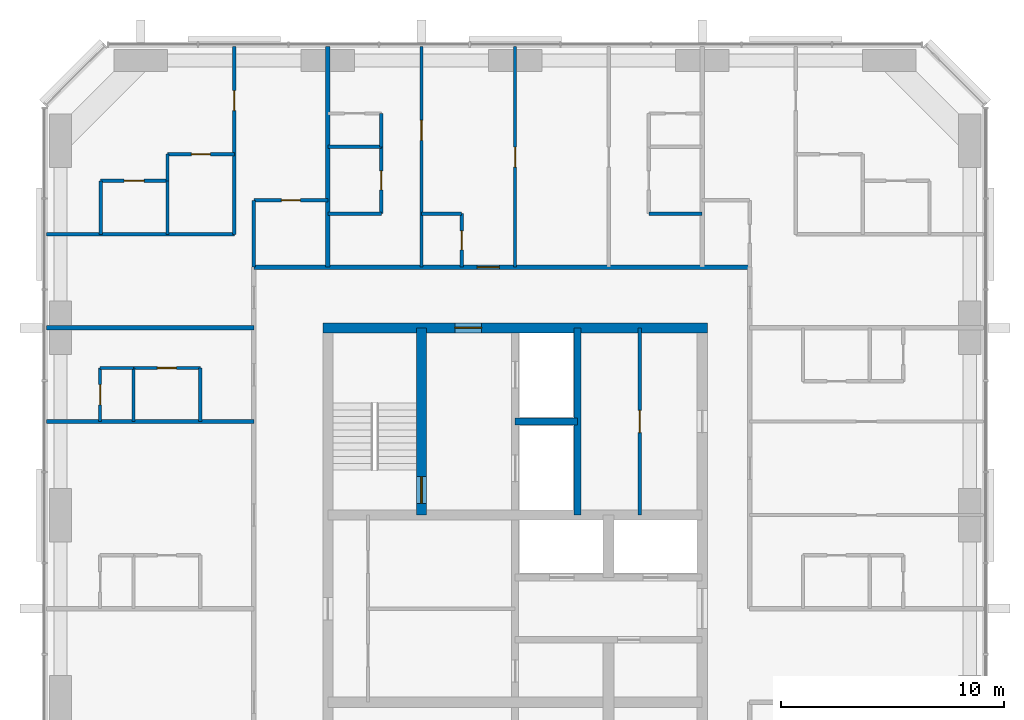
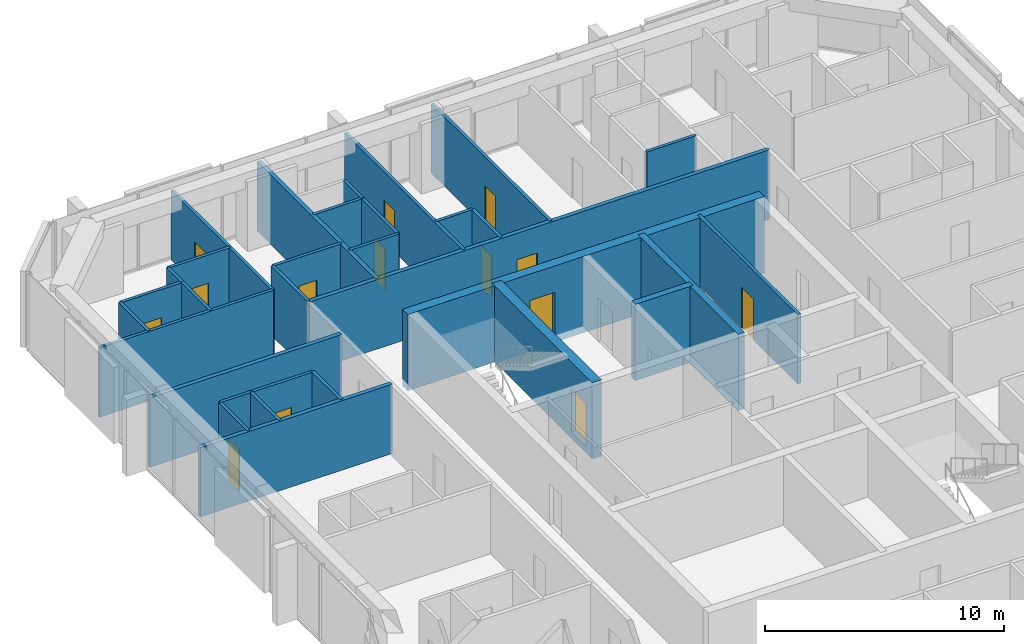
# One storey, part 10 of 13: 32 walls, 14 doors, 14 openings.
"""IFC4 building model written with IfcOpenShell, lengths in metres."""

from ifc_helpers import new_model, si_unit, direction, frame, frame_2d, origin, place, context, subcontext, project, spatial, rectangle, extrude, material, layer, layer_set, type_object, element, fill, save


model = new_model("IFC4")

# Units and contexts
model_context = context("Model", 3, precision=1e-05, world=origin(), true_north=direction((0.0, 1.0)))
body_context = subcontext(model_context, "Body", "Model", "MODEL_VIEW")
ifc_project = project(units=[si_unit("LENGTHUNIT", "METRE"), si_unit("AREAUNIT", "SQUARE_METRE"), si_unit("VOLUMEUNIT", "CUBIC_METRE"), si_unit("PLANEANGLEUNIT", "RADIAN"), si_unit("MASSUNIT", "GRAM", prefix="KILO")], contexts=[model_context])

# Site, building, storey
site_placement = place(None, origin())
site = spatial("IfcSite", under=ifc_project, at=site_placement, CompositionType="ELEMENT")
building_placement = place(site_placement, origin())
building = spatial("IfcBuilding", under=site, at=building_placement, Name="Dunama Terrace Hotel", CompositionType="ELEMENT")
storey_placement = place(building_placement, frame((0.0, 0.0, 276.300048828125)))
storey = spatial("IfcBuildingStorey", under=building, at=storey_placement, Name="L71", CompositionType="ELEMENT", Elevation=276.300048828125)

# Walls
ifc_material_1 = material(Name="Gypsum board partition", Category="masonry")
ifc_layer_1 = layer(ifc_material_1, 0.14990234375)
ifc_layer_set_1 = layer_set([ifc_layer_1], Name="Bathroom partition 150")
wall_type_1 = type_object("IfcWallType", Name="Bathroom partition 150", PredefinedType="PARTITIONING", material=ifc_layer_set_1)
wall_1_placement = place(storey_placement, frame((18.0, 48.60009765625, 0.0), z_axis=(0.0, 0.0, 1.0), x_axis=(0.0, 1.0, 0.0)))
element("IfcWall", 1, at=wall_1_placement, inside=storey, type_object=wall_type_1, Name="Bathroom partition 150 L71", PredefinedType="PARTITIONING", context=body_context, shape_type="SweptSolid", body=[
    extrude(rectangle(XDim=1.199951171875, YDim=0.14990234375, at=frame_2d((0.60009765625, 0.0))), origin(), (0.0, 0.0, 1.0), 3.550048828125),
])
wall_2_placement = place(storey_placement, frame((19.47509765625, 37.800048828125, 0.0), z_axis=(0.0, 0.0, 1.0), x_axis=(0.0, 1.0, 0.0)))
element("IfcWall", 2, at=wall_2_placement, inside=storey, type_object=wall_type_1, Name="Bathroom partition 150 L71", PredefinedType="PARTITIONING", context=body_context, shape_type="SweptSolid", body=[
    extrude(rectangle(XDim=2.39990234375, YDim=0.14990234375, at=frame_2d((1.199951171875, 0.0))), origin(), (0.0, 0.0, 1.0), 3.550048828125),
])
wall_3_placement = place(storey_placement, frame((21.875, 44.72509765625, 0.0), z_axis=(0.0, 0.0, 1.0), x_axis=(0.0, 1.0, 0.0)))
element("IfcWall", 3, at=wall_3_placement, inside=storey, type_object=wall_type_1, Name="Bathroom partition 150 L71", PredefinedType="PARTITIONING", context=body_context, shape_type="SweptSolid", body=[
    extrude(rectangle(XDim=3.0, YDim=0.14990234375, at=frame_2d((1.5, 0.0))), origin(), (0.0, 0.0, 1.0), 3.550048828125),
])

# Wall, opening, door
wall_4_placement = place(storey_placement, frame((27.60009765625, 47.125, 0.0), z_axis=(0.0, 0.0, 1.0), x_axis=(0.0, 1.0, 0.0)))
wall_4 = element("IfcWall", 4, at=wall_4_placement, inside=storey, type_object=wall_type_1, Name="Bathroom partition 150 L71", PredefinedType="PARTITIONING", context=body_context, shape_type="SweptSolid", body=[
    extrude(rectangle(XDim=3.0, YDim=0.14990234375, at=frame_2d((1.5, 0.0))), origin(), (0.0, 0.0, 1.0), 3.550048828125),
])
opening_1_placement = place(wall_4_placement, frame((1.074951171875, 0.0, 0.0)))
opening_1 = element("IfcOpeningElement", 5, at=opening_1_placement, cuts=wall_4, Name="Opening L71-72-029", PredefinedType="OPENING", context=body_context, shape_type="SweptSolid", body=[
    extrude(rectangle(XDim=0.85009765625, YDim=2.10009765625, at=frame_2d((0.425048828125, 1.050048828125))), frame((0.0, 0.0849609375, 0.0), z_axis=(0.0, -1.0, 0.0), x_axis=(1.0, 0.0, 0.0)), (0.0, 0.0, 1.0), 0.169921875),
])
ifc_material_2 = material(Name="Timber door with steel frame", Category="steel")
door_type_1 = type_object("IfcDoorType", Name="Bathroom door 850", OperationType="SINGLE_SWING_LEFT", PredefinedType="DOOR", material=ifc_material_2)
door_1_placement = place(opening_1_placement, origin())
door_1 = element("IfcDoor", 6, at=door_1_placement, inside=storey, type_object=door_type_1, Name="Door to en-suite bathroom L71-72-029, type D2", OperationType="SINGLE_SWING_RIGHT", OverallHeight=2.10009765625, OverallWidth=0.85009765625, PredefinedType="DOOR", context=body_context, shape_type="SweptSolid", body=[
    extrude(rectangle(XDim=0.85009765625, YDim=2.10009765625, at=frame_2d((0.425048828125, 1.050048828125))), frame((0.0, 0.02490234375, 0.0), z_axis=(0.0, -1.0, 0.0), x_axis=(1.0, 0.0, 0.0)), (0.0, 0.0, 1.0), 0.050048828125),
])
fill(opening_1, door_1)

wall_5_placement = place(storey_placement, frame((31.199951171875, 44.72509765625, 0.0), z_axis=(0.0, 0.0, 1.0), x_axis=(0.0, 1.0, 0.0)))
wall_5 = element("IfcWall", 7, at=wall_5_placement, inside=storey, type_object=wall_type_1, Name="Bathroom partition 150 L71", PredefinedType="PARTITIONING", context=body_context, shape_type="SweptSolid", body=[
    extrude(rectangle(XDim=2.39990234375, YDim=0.14990234375, at=frame_2d((1.199951171875, 0.0))), origin(), (0.0, 0.0, 1.0), 3.550048828125),
])
opening_2_placement = place(wall_5_placement, frame((0.77490234375, 0.0, 0.0)))
opening_2 = element("IfcOpeningElement", 8, at=opening_2_placement, cuts=wall_5, Name="Opening L71-72-027", PredefinedType="OPENING", context=body_context, shape_type="SweptSolid", body=[
    extrude(rectangle(XDim=0.85009765625, YDim=2.10009765625, at=frame_2d((0.425048828125, 1.050048828125))), frame((0.0, 0.0849609375, 0.0), z_axis=(0.0, -1.0, 0.0), x_axis=(1.0, 0.0, 0.0)), (0.0, 0.0, 1.0), 0.169921875),
])
door_2_placement = place(opening_2_placement, origin())
door_2 = element("IfcDoor", 9, at=door_2_placement, inside=storey, type_object=door_type_1, Name="Door to powder room L71-72-027, type D2", OperationType="SINGLE_SWING_LEFT", OverallHeight=2.10009765625, OverallWidth=0.85009765625, PredefinedType="DOOR", context=body_context, shape_type="SweptSolid", body=[
    extrude(rectangle(XDim=0.85009765625, YDim=2.10009765625, at=frame_2d((0.425048828125, 1.050048828125))), frame((0.0, 0.02490234375, 0.0), z_axis=(0.0, -1.0, 0.0), x_axis=(1.0, 0.0, 0.0)), (0.0, 0.0, 1.0), 0.050048828125),
])
fill(opening_2, door_2)

wall_6_placement = place(storey_placement, frame((16.47509765625, 40.199951171875, 0.0), z_axis=(0.0, 0.0, 1.0), x_axis=(1.0, 0.0, 0.0)))
wall_6 = element("IfcWall", 10, at=wall_6_placement, inside=storey, type_object=wall_type_1, Name="Bathroom partition 150 L71", PredefinedType="PARTITIONING", context=body_context, shape_type="SweptSolid", body=[
    extrude(rectangle(XDim=3.0, YDim=0.14990234375, at=frame_2d((1.5, 0.0))), origin(), (0.0, 0.0, 1.0), 3.550048828125),
])
opening_3_placement = place(wall_6_placement, frame((1.074951171875, 0.0, 0.0)))
opening_3 = element("IfcOpeningElement", 11, at=opening_3_placement, cuts=wall_6, Name="Opening L71-72-045", PredefinedType="OPENING", context=body_context, shape_type="SweptSolid", body=[
    extrude(rectangle(XDim=0.85009765625, YDim=2.10009765625, at=frame_2d((0.425048828125, 1.050048828125))), frame((0.0, 0.0849609375, 0.0), z_axis=(0.0, -1.0, 0.0), x_axis=(1.0, 0.0, 0.0)), (0.0, 0.0, 1.0), 0.169921875),
])
door_3_placement = place(opening_3_placement, frame((0.85009765625, 0.0, 0.0), z_axis=(0.0, 0.0, 1.0), x_axis=(-1.0, 0.0, 0.0)))
door_3 = element("IfcDoor", 12, at=door_3_placement, inside=storey, type_object=door_type_1, Name="Door to en-suite bathroom L71-72-045, type D2", OperationType="SINGLE_SWING_RIGHT", OverallHeight=2.10009765625, OverallWidth=0.85009765625, PredefinedType="DOOR", context=body_context, shape_type="SweptSolid", body=[
    extrude(rectangle(XDim=0.85009765625, YDim=2.10009765625, at=frame_2d((0.425048828125, 1.050048828125))), frame((0.0, 0.025146484375, 0.0), z_axis=(0.0, -1.0, 0.0), x_axis=(1.0, 0.0, 0.0)), (0.0, 0.0, 1.0), 0.050048828125),
])
fill(opening_3, door_3)

# Walls
wall_7_placement = place(storey_placement, frame((25.199951171875, 47.125, 0.0), z_axis=(0.0, 0.0, 1.0), x_axis=(1.0, 0.0, 0.0)))
element("IfcWall", 13, at=wall_7_placement, inside=storey, type_object=wall_type_1, Name="Bathroom partition 150 L71", PredefinedType="PARTITIONING", context=body_context, shape_type="SweptSolid", body=[
    extrude(rectangle(XDim=2.400146484375, YDim=0.14990234375, at=frame_2d((1.2001953125, 0.0))), origin(), (0.0, 0.0, 1.0), 3.550048828125),
])
wall_8_placement = place(storey_placement, frame((29.39990234375, 47.125, 0.0), z_axis=(0.0, 0.0, 1.0), x_axis=(1.0, 0.0, 0.0)))
element("IfcWall", 14, at=wall_8_placement, inside=storey, type_object=wall_type_1, Name="Bathroom partition 150 L71", PredefinedType="PARTITIONING", context=body_context, shape_type="SweptSolid", body=[
    extrude(rectangle(XDim=1.800048828125, YDim=0.14990234375, at=frame_2d((0.89990234375, 0.0))), origin(), (0.0, 0.0, 1.0), 3.550048828125),
])
wall_9_placement = place(storey_placement, frame((39.60009765625, 47.125, 0.0), z_axis=(0.0, 0.0, 1.0), x_axis=(1.0, 0.0, 0.0)))
element("IfcWall", 15, at=wall_9_placement, inside=storey, type_object=wall_type_1, Name="Bathroom partition 150 L71", PredefinedType="PARTITIONING", context=body_context, shape_type="SweptSolid", body=[
    extrude(rectangle(XDim=2.39990234375, YDim=0.14990234375, at=frame_2d((1.199951171875, 0.0))), origin(), (0.0, 0.0, 1.0), 3.550048828125),
])

# Wall, opening, door
wall_10_placement = place(storey_placement, frame((21.875, 47.72509765625, 0.0), z_axis=(0.0, 0.0, 1.0), x_axis=(1.0, 0.0, 0.0)))
wall_10 = element("IfcWall", 16, at=wall_10_placement, inside=storey, type_object=wall_type_1, Name="Bathroom partition 150 L71", PredefinedType="PARTITIONING", context=body_context, shape_type="SweptSolid", body=[
    extrude(rectangle(XDim=3.324951171875, YDim=0.14990234375, at=frame_2d((1.66259765625, 0.0))), origin(), (0.0, 0.0, 1.0), 3.550048828125),
])
opening_4_placement = place(wall_10_placement, frame((1.238037109375, 0.0, 0.0)))
opening_4 = element("IfcOpeningElement", 17, at=opening_4_placement, cuts=wall_10, Name="Opening L71-72-063", PredefinedType="OPENING", context=body_context, shape_type="SweptSolid", body=[
    extrude(rectangle(XDim=0.85009765625, YDim=2.10009765625, at=frame_2d((0.425048828125, 1.050048828125))), frame((0.0, 0.0849609375, 0.0), z_axis=(0.0, -1.0, 0.0), x_axis=(1.0, 0.0, 0.0)), (0.0, 0.0, 1.0), 0.169921875),
])
door_4_placement = place(opening_4_placement, frame((0.85009765625, 0.0, 0.0), z_axis=(0.0, 0.0, 1.0), x_axis=(-1.0, 0.0, 0.0)))
door_4 = element("IfcDoor", 18, at=door_4_placement, inside=storey, type_object=door_type_1, Name="Door to powder room L71-72-063, type D2", OperationType="SINGLE_SWING_LEFT", OverallHeight=2.10009765625, OverallWidth=0.85009765625, PredefinedType="DOOR", context=body_context, shape_type="SweptSolid", body=[
    extrude(rectangle(XDim=0.85009765625, YDim=2.10009765625, at=frame_2d((0.425048828125, 1.050048828125))), frame((0.0, 0.025146484375, 0.0), z_axis=(0.0, -1.0, 0.0), x_axis=(1.0, 0.0, 0.0)), (0.0, 0.0, 1.0), 0.050048828125),
])
fill(opening_4, door_4)

wall_11_placement = place(storey_placement, frame((18.0, 49.800048828125, 0.0), z_axis=(0.0, 0.0, 1.0), x_axis=(1.0, 0.0, 0.0)))
wall_11 = element("IfcWall", 19, at=wall_11_placement, inside=storey, type_object=wall_type_1, Name="Bathroom partition 150 L71", PredefinedType="PARTITIONING", context=body_context, shape_type="SweptSolid", body=[
    extrude(rectangle(XDim=3.0, YDim=0.14990234375, at=frame_2d((1.5, 0.0))), origin(), (0.0, 0.0, 1.0), 3.550048828125),
])
opening_5_placement = place(wall_11_placement, frame((1.074951171875, 0.0, 0.0)))
opening_5 = element("IfcOpeningElement", 20, at=opening_5_placement, cuts=wall_11, Name="Opening L71-72-065", PredefinedType="OPENING", context=body_context, shape_type="SweptSolid", body=[
    extrude(rectangle(XDim=0.85009765625, YDim=2.10009765625, at=frame_2d((0.425048828125, 1.050048828125))), frame((0.0, 0.0849609375, 0.0), z_axis=(0.0, -1.0, 0.0), x_axis=(1.0, 0.0, 0.0)), (0.0, 0.0, 1.0), 0.169921875),
])
door_5_placement = place(opening_5_placement, frame((0.85009765625, 0.0, 0.0), z_axis=(0.0, 0.0, 1.0), x_axis=(-1.0, 0.0, 0.0)))
door_5 = element("IfcDoor", 21, at=door_5_placement, inside=storey, type_object=door_type_1, Name="Door to en-suite bathroom L71-72-065, type D2", OperationType="SINGLE_SWING_RIGHT", OverallHeight=2.10009765625, OverallWidth=0.85009765625, PredefinedType="DOOR", context=body_context, shape_type="SweptSolid", body=[
    extrude(rectangle(XDim=0.85009765625, YDim=2.10009765625, at=frame_2d((0.425048828125, 1.050048828125))), frame((0.0, 0.025146484375, 0.0), z_axis=(0.0, -1.0, 0.0), x_axis=(1.0, 0.0, 0.0)), (0.0, 0.0, 1.0), 0.050048828125),
])
fill(opening_5, door_5)

# Walls
ifc_material_3 = material(Name="Concrete C50/60", Category="concrete")
ifc_layer_2 = layer(ifc_material_3, 0.300048828125)
ifc_layer_set_2 = layer_set([ifc_layer_2], Name="Core inner wall 300")
wall_type_2 = type_object("IfcWallType", Name="Core inner wall 300", PredefinedType="SHEAR", material=ifc_layer_set_2)
wall_12_placement = place(storey_placement, frame((36.39990234375, 33.60009765625, -0.35009765625), z_axis=(0.0, 0.0, 1.0), x_axis=(0.0, 1.0, 0.0)))
element("IfcWall", 22, at=wall_12_placement, inside=storey, type_object=wall_type_2, Name="Core inner wall 300 L71", PredefinedType="SHEAR", context=body_context, shape_type="SweptSolid", body=[
    extrude(rectangle(XDim=8.39990234375, YDim=0.300048828125, at=frame_2d((4.199951171875, 0.0))), origin(), (0.0, 0.0, 1.0), 3.900146484375),
])
wall_13_placement = place(storey_placement, frame((33.60009765625, 37.800048828125, -0.35009765625), z_axis=(0.0, 0.0, 1.0), x_axis=(1.0, 0.0, 0.0)))
element("IfcWall", 23, at=wall_13_placement, inside=storey, type_object=wall_type_2, Name="Core inner wall 300 L71", PredefinedType="SHEAR", context=body_context, shape_type="SweptSolid", body=[
    extrude(rectangle(XDim=2.7998046875, YDim=0.300048828125, at=frame_2d((1.39990234375, 0.0))), origin(), (0.0, 0.0, 1.0), 3.900146484375),
])

# Wall, opening, door
ifc_material_4 = material(Name="Concrete C50/60", Category="concrete")
ifc_layer_3 = layer(ifc_material_4, 0.449951171875)
ifc_layer_set_3 = layer_set([ifc_layer_3], Name="Core inner wall 450")
wall_type_3 = type_object("IfcWallType", Name="Core inner wall 450", PredefinedType="SHEAR", material=ifc_layer_set_3)
wall_14_placement = place(storey_placement, frame((29.39990234375, 33.60009765625, -0.35009765625), z_axis=(0.0, 0.0, 1.0), x_axis=(0.0, 1.0, 0.0)))
wall_14 = element("IfcWall", 24, at=wall_14_placement, inside=storey, type_object=wall_type_3, Name="Core inner wall 450 L71", PredefinedType="SHEAR", context=body_context, shape_type="SweptSolid", body=[
    extrude(rectangle(XDim=8.39990234375, YDim=0.449951171875, at=frame_2d((4.199951171875, 0.0))), origin(), (0.0, 0.0, 1.0), 3.900146484375),
])
opening_6_placement = place(wall_14_placement, frame((0.52490234375, 0.0, 0.35009765625)))
opening_6 = element("IfcOpeningElement", 25, at=opening_6_placement, cuts=wall_14, Name="Opening L71-72-001", PredefinedType="OPENING", context=body_context, shape_type="SweptSolid", body=[
    extrude(rectangle(XDim=1.199951171875, YDim=2.199951171875, at=frame_2d((0.60009765625, 1.10009765625))), frame((0.0, 0.23486328125, 0.0), z_axis=(0.0, -1.0, 0.0), x_axis=(1.0, 0.0, 0.0)), (0.0, 0.0, 1.0), 0.469970703125),
])
ifc_material_5 = material(Name="Timber door with steel frame", Category="steel")
door_type_2 = type_object("IfcDoorType", Name="Stair door 1200", OperationType="SINGLE_SWING_LEFT", PredefinedType="DOOR", material=ifc_material_5)
door_6_placement = place(opening_6_placement, origin())
door_6 = element("IfcDoor", 26, at=door_6_placement, inside=storey, type_object=door_type_2, Name="Stair door ST1 L71-72-001, type D5", OperationType="SINGLE_SWING_LEFT", OverallHeight=2.199951171875, OverallWidth=1.199951171875, PredefinedType="DOOR", context=body_context, shape_type="SweptSolid", body=[
    extrude(rectangle(XDim=1.199951171875, YDim=2.199951171875, at=frame_2d((0.60009765625, 1.10009765625))), frame((0.0, 0.02490234375, 0.0), z_axis=(0.0, -1.0, 0.0), x_axis=(1.0, 0.0, 0.0)), (0.0, 0.0, 1.0), 0.050048828125),
])
fill(opening_6, door_6)

ifc_material_6 = material(Name="Concrete C50/60", Category="concrete")
ifc_layer_4 = layer(ifc_material_6, 0.449951171875)
ifc_layer_set_4 = layer_set([ifc_layer_4], Name="Core wall 450")
wall_type_4 = type_object("IfcWallType", Name="Core wall 450", PredefinedType="SHEAR", material=ifc_layer_set_4)
wall_15_placement = place(storey_placement, frame((42.22509765625, 42.0, -0.35009765625), z_axis=(0.0, 0.0, 1.0), x_axis=(-1.0, 0.0, 0.0)))
wall_15 = element("IfcWall", 27, at=wall_15_placement, inside=storey, type_object=wall_type_4, Name="Core wall north L71", PredefinedType="SHEAR", context=body_context, shape_type="SweptSolid", body=[
    extrude(rectangle(XDim=17.25, YDim=0.449951171875, at=frame_2d((8.625, 0.0))), origin(), (0.0, 0.0, 1.0), 3.900146484375),
])
opening_7_placement = place(wall_15_placement, frame((10.125, 0.0, 0.35009765625)))
opening_7 = element("IfcOpeningElement", 28, at=opening_7_placement, cuts=wall_15, Name="Opening L71-72-073", PredefinedType="OPENING", context=body_context, shape_type="SweptSolid", body=[
    extrude(rectangle(XDim=1.199951171875, YDim=2.199951171875, at=frame_2d((0.60009765625, 1.10009765625))), frame((0.0, 0.23486328125, 0.0), z_axis=(0.0, -1.0, 0.0), x_axis=(1.0, 0.0, 0.0)), (0.0, 0.0, 1.0), 0.469970703125),
])
ifc_material_7 = material(Name="Timber door with steel frame", Category="steel")
door_type_3 = type_object("IfcDoorType", Name="Firefighting lobby door 1200", OperationType="SINGLE_SWING_LEFT", PredefinedType="DOOR", material=ifc_material_7)
door_7_placement = place(opening_7_placement, origin())
door_7 = element("IfcDoor", 29, at=door_7_placement, inside=storey, type_object=door_type_3, Name="Door to firefighting lobby L71-72-073, type D4", OperationType="SINGLE_SWING_RIGHT", OverallHeight=2.199951171875, OverallWidth=1.199951171875, PredefinedType="DOOR", context=body_context, shape_type="SweptSolid", body=[
    extrude(rectangle(XDim=1.199951171875, YDim=2.199951171875, at=frame_2d((0.60009765625, 1.10009765625))), frame((0.0, 0.02490234375, 0.0), z_axis=(0.0, -1.0, 0.0), x_axis=(1.0, 0.0, 0.0)), (0.0, 0.0, 1.0), 0.050048828125),
])
fill(opening_7, door_7)

ifc_material_8 = material(Name="Concrete blockwork", Category="masonry")
ifc_layer_5 = layer(ifc_material_8, 0.199951171875)
ifc_layer_set_5 = layer_set([ifc_layer_5], Name="Corridor partition 200")
wall_type_5 = type_object("IfcWallType", Name="Corridor partition 200", PredefinedType="PARTITIONING", material=ifc_layer_set_5)
wall_16_placement = place(storey_placement, frame((21.875, 44.72509765625, 0.0), z_axis=(0.0, 0.0, 1.0), x_axis=(1.0, 0.0, 0.0)))
wall_16 = element("IfcWall", 30, at=wall_16_placement, inside=storey, type_object=wall_type_5, Name="Corridor partition 200 L71", PredefinedType="PARTITIONING", context=body_context, shape_type="SweptSolid", body=[
    extrude(rectangle(XDim=22.25, YDim=0.199951171875, at=frame_2d((11.125, 0.0))), origin(), (0.0, 0.0, 1.0), 3.550048828125),
])
opening_8_placement = place(wall_16_placement, frame((10.02490234375, 0.0, 0.0)))
opening_8 = element("IfcOpeningElement", 31, at=opening_8_placement, cuts=wall_16, Name="Opening L71-72-026", PredefinedType="OPENING", context=body_context, shape_type="SweptSolid", body=[
    extrude(rectangle(XDim=1.0, YDim=2.199951171875, at=frame_2d((0.5, 1.10009765625))), frame((0.0, 0.10986328125, 0.0), z_axis=(0.0, -1.0, 0.0), x_axis=(1.0, 0.0, 0.0)), (0.0, 0.0, 1.0), 0.219970703125),
])
ifc_material_9 = material(Name="Timber door with steel frame", Category="steel")
door_type_4 = type_object("IfcDoorType", Name="Guest room door 1000", OperationType="SINGLE_SWING_LEFT", PredefinedType="DOOR", material=ifc_material_9)
door_8_placement = place(opening_8_placement, origin())
door_8 = element("IfcDoor", 32, at=door_8_placement, inside=storey, type_object=door_type_4, Name="Door to grand suite living room L71-72-026, type D1", OperationType="SINGLE_SWING_LEFT", OverallHeight=2.199951171875, OverallWidth=1.0, PredefinedType="DOOR", context=body_context, shape_type="SweptSolid", body=[
    extrude(rectangle(XDim=1.0, YDim=2.199951171875, at=frame_2d((0.5, 1.10009765625))), frame((0.0, 0.02490234375, 0.0), z_axis=(0.0, -1.0, 0.0), x_axis=(1.0, 0.0, 0.0)), (0.0, 0.0, 1.0), 0.050048828125),
])
fill(opening_8, door_8)

# Walls
ifc_material_10 = material(Name="Concrete blockwork", Category="masonry")
ifc_layer_6 = layer(ifc_material_10, 0.199951171875)
ifc_layer_set_6 = layer_set([ifc_layer_6], Name="Party wall 200")
wall_type_6 = type_object("IfcWallType", Name="Party wall 200", PredefinedType="PARTITIONING", material=ifc_layer_set_6)
wall_17_placement = place(storey_placement, frame((25.199951171875, 44.72509765625, 0.0), z_axis=(0.0, 0.0, 1.0), x_axis=(0.0, 1.0, 0.0)))
element("IfcWall", 33, at=wall_17_placement, inside=storey, type_object=wall_type_6, Name="Party wall 200 L71", PredefinedType="PARTITIONING", context=body_context, shape_type="SweptSolid", body=[
    extrude(rectangle(XDim=9.892822265625, YDim=0.199951171875, at=frame_2d((4.9462890625, 0.0))), origin(), (0.0, 0.0, 1.0), 3.550048828125),
])
for number, where, z_axis, x_axis, name in (
    (34, (12.58203125, 37.800048828125, 0.0), (0.0, 0.0, 1.0), (1.0, 0.0, 0.0), "Party wall 200 L71"),
    (35, (12.58203125, 42.0, 0.0), (0.0, 0.0, 1.0), (1.0, 0.0, 0.0), "Party wall 200 L71"),
):
    element("IfcWall", number, at=place(storey_placement, frame(where, z_axis=z_axis, x_axis=x_axis)), inside=storey, type_object=wall_type_6, Name=name, PredefinedType="PARTITIONING", context=body_context, shape_type="SweptSolid", body=[
        extrude(rectangle(XDim=9.29296875, YDim=0.199951171875, at=frame_2d((4.646484375, 0.0))), origin(), (0.0, 0.0, 1.0), 3.550048828125),
    ])

# Wall, opening, door
ifc_material_11 = material(Name="Gypsum board partition", Category="masonry")
ifc_layer_7 = layer(ifc_material_11, 0.14990234375)
ifc_layer_set_7 = layer_set([ifc_layer_7], Name="Room partition 150")
wall_type_7 = type_object("IfcWallType", Name="Room partition 150", PredefinedType="PARTITIONING", material=ifc_layer_set_7)
wall_18_placement = place(storey_placement, frame((14.97509765625, 37.800048828125, 0.0), z_axis=(0.0, 0.0, 1.0), x_axis=(0.0, 1.0, 0.0)))
wall_18 = element("IfcWall", 36, at=wall_18_placement, inside=storey, type_object=wall_type_7, Name="Room partition 150 L71", PredefinedType="PARTITIONING", context=body_context, shape_type="SweptSolid", body=[
    extrude(rectangle(XDim=2.39990234375, YDim=0.14990234375, at=frame_2d((1.199951171875, 0.0))), origin(), (0.0, 0.0, 1.0), 3.550048828125),
])
opening_9_placement = place(wall_18_placement, frame((0.75, 0.0, 0.0)))
opening_9 = element("IfcOpeningElement", 37, at=opening_9_placement, cuts=wall_18, Name="Opening L71-72-046", PredefinedType="OPENING", context=body_context, shape_type="SweptSolid", body=[
    extrude(rectangle(XDim=0.89990234375, YDim=2.10009765625, at=frame_2d((0.449951171875, 1.050048828125))), frame((0.0, 0.0849609375, 0.0), z_axis=(0.0, -1.0, 0.0), x_axis=(1.0, 0.0, 0.0)), (0.0, 0.0, 1.0), 0.169921875),
])
ifc_material_12 = material(Name="Timber door with steel frame", Category="steel")
door_type_5 = type_object("IfcDoorType", Name="Suite internal door 900", OperationType="SINGLE_SWING_LEFT", PredefinedType="DOOR", material=ifc_material_12)
door_9_placement = place(opening_9_placement, frame((0.89990234375, 0.0, 0.0), z_axis=(0.0, 0.0, 1.0), x_axis=(-1.0, 0.0, 0.0)))
door_9 = element("IfcDoor", 38, at=door_9_placement, inside=storey, type_object=door_type_5, Name="Door to walk-in wardrobe L71-72-046, type D16", OperationType="SINGLE_SWING_RIGHT", OverallHeight=2.10009765625, OverallWidth=0.89990234375, PredefinedType="DOOR", context=body_context, shape_type="SweptSolid", body=[
    extrude(rectangle(XDim=0.89990234375, YDim=2.10009765625, at=frame_2d((0.449951171875, 1.050048828125))), frame((0.0, 0.025146484375, 0.0), z_axis=(0.0, -1.0, 0.0), x_axis=(1.0, 0.0, 0.0)), (0.0, 0.0, 1.0), 0.050048828125),
])
fill(opening_9, door_9)

# Walls
wall_19_placement = place(storey_placement, frame((15.0, 46.199951171875, 0.0), z_axis=(0.0, 0.0, 1.0), x_axis=(0.0, 1.0, 0.0)))
element("IfcWall", 39, at=wall_19_placement, inside=storey, type_object=wall_type_7, Name="Room partition 150 L71", PredefinedType="PARTITIONING", context=body_context, shape_type="SweptSolid", body=[
    extrude(rectangle(XDim=2.400146484375, YDim=0.14990234375, at=frame_2d((1.2001953125, 0.0))), origin(), (0.0, 0.0, 1.0), 3.550048828125),
])
wall_20_placement = place(storey_placement, frame((16.47509765625, 37.800048828125, 0.0), z_axis=(0.0, 0.0, 1.0), x_axis=(0.0, 1.0, 0.0)))
element("IfcWall", 40, at=wall_20_placement, inside=storey, type_object=wall_type_7, Name="Room partition 150 L71", PredefinedType="PARTITIONING", context=body_context, shape_type="SweptSolid", body=[
    extrude(rectangle(XDim=2.39990234375, YDim=0.14990234375, at=frame_2d((1.199951171875, 0.0))), origin(), (0.0, 0.0, 1.0), 3.550048828125),
])
wall_21_placement = place(storey_placement, frame((18.0, 46.199951171875, 0.0), z_axis=(0.0, 0.0, 1.0), x_axis=(0.0, 1.0, 0.0)))
element("IfcWall", 41, at=wall_21_placement, inside=storey, type_object=wall_type_7, Name="Room partition 150 L71", PredefinedType="PARTITIONING", context=body_context, shape_type="SweptSolid", body=[
    extrude(rectangle(XDim=2.400146484375, YDim=0.14990234375, at=frame_2d((1.2001953125, 0.0))), origin(), (0.0, 0.0, 1.0), 3.550048828125),
])

# Wall, opening, door
wall_22_placement = place(storey_placement, frame((21.0, 46.199951171875, 0.0), z_axis=(0.0, 0.0, 1.0), x_axis=(0.0, 1.0, 0.0)))
wall_22 = element("IfcWall", 42, at=wall_22_placement, inside=storey, type_object=wall_type_7, Name="Room partition 150 L71", PredefinedType="PARTITIONING", context=body_context, shape_type="SweptSolid", body=[
    extrude(rectangle(XDim=8.41796875, YDim=0.14990234375, at=frame_2d((4.208984375, 0.0))), origin(), (0.0, 0.0, 1.0), 3.550048828125),
])
opening_10_placement = place(wall_22_placement, frame((5.550048828125, 0.0, 0.0)))
opening_10 = element("IfcOpeningElement", 43, at=opening_10_placement, cuts=wall_22, Name="Opening L71-72-064", PredefinedType="OPENING", context=body_context, shape_type="SweptSolid", body=[
    extrude(rectangle(XDim=0.89990234375, YDim=2.10009765625, at=frame_2d((0.449951171875, 1.050048828125))), frame((0.0, 0.0849609375, 0.0), z_axis=(0.0, -1.0, 0.0), x_axis=(1.0, 0.0, 0.0)), (0.0, 0.0, 1.0), 0.169921875),
])
door_10_placement = place(opening_10_placement, origin())
door_10 = element("IfcDoor", 44, at=door_10_placement, inside=storey, type_object=door_type_5, Name="Door to grand corner suite bedroom L71-72-064, type D16", OperationType="SINGLE_SWING_LEFT", OverallHeight=2.10009765625, OverallWidth=0.89990234375, PredefinedType="DOOR", context=body_context, shape_type="SweptSolid", body=[
    extrude(rectangle(XDim=0.89990234375, YDim=2.10009765625, at=frame_2d((0.449951171875, 1.050048828125))), frame((0.0, 0.02490234375, 0.0), z_axis=(0.0, -1.0, 0.0), x_axis=(1.0, 0.0, 0.0)), (0.0, 0.0, 1.0), 0.050048828125),
])
fill(opening_10, door_10)

# Wall
wall_23_placement = place(storey_placement, frame((27.60009765625, 50.125, 0.0), z_axis=(0.0, 0.0, 1.0), x_axis=(0.0, 1.0, 0.0)))
element("IfcWall", 45, at=wall_23_placement, inside=storey, type_object=wall_type_7, Name="Room partition 150 L71", PredefinedType="PARTITIONING", context=body_context, shape_type="SweptSolid", body=[
    extrude(rectangle(XDim=1.5, YDim=0.14990234375, at=frame_2d((0.75, 0.0))), origin(), (0.0, 0.0, 1.0), 3.550048828125),
])

# Wall, opening, door
wall_24_placement = place(storey_placement, frame((29.39990234375, 44.72509765625, 0.0), z_axis=(0.0, 0.0, 1.0), x_axis=(0.0, 1.0, 0.0)))
wall_24 = element("IfcWall", 46, at=wall_24_placement, inside=storey, type_object=wall_type_7, Name="Room partition 150 L71", PredefinedType="PARTITIONING", context=body_context, shape_type="SweptSolid", body=[
    extrude(rectangle(XDim=9.892822265625, YDim=0.14990234375, at=frame_2d((4.9462890625, 0.0))), origin(), (0.0, 0.0, 1.0), 3.550048828125),
])
opening_11_placement = place(wall_24_placement, frame((5.68701171875, 0.0, 0.0)))
opening_11 = element("IfcOpeningElement", 47, at=opening_11_placement, cuts=wall_24, Name="Opening L71-72-028", PredefinedType="OPENING", context=body_context, shape_type="SweptSolid", body=[
    extrude(rectangle(XDim=0.89990234375, YDim=2.10009765625, at=frame_2d((0.449951171875, 1.050048828125))), frame((0.0, 0.0849609375, 0.0), z_axis=(0.0, -1.0, 0.0), x_axis=(1.0, 0.0, 0.0)), (0.0, 0.0, 1.0), 0.169921875),
])
door_11_placement = place(opening_11_placement, origin())
door_11 = element("IfcDoor", 48, at=door_11_placement, inside=storey, type_object=door_type_5, Name="Door to grand suite bedroom L71-72-028, type D16", OperationType="SINGLE_SWING_LEFT", OverallHeight=2.10009765625, OverallWidth=0.89990234375, PredefinedType="DOOR", context=body_context, shape_type="SweptSolid", body=[
    extrude(rectangle(XDim=0.89990234375, YDim=2.10009765625, at=frame_2d((0.449951171875, 1.050048828125))), frame((0.0, 0.02490234375, 0.0), z_axis=(0.0, -1.0, 0.0), x_axis=(1.0, 0.0, 0.0)), (0.0, 0.0, 1.0), 0.050048828125),
])
fill(opening_11, door_11)

wall_25_placement = place(storey_placement, frame((33.60009765625, 44.72509765625, 0.0), z_axis=(0.0, 0.0, 1.0), x_axis=(0.0, 1.0, 0.0)))
wall_25 = element("IfcWall", 49, at=wall_25_placement, inside=storey, type_object=wall_type_7, Name="Room partition 150 L71", PredefinedType="PARTITIONING", context=body_context, shape_type="SweptSolid", body=[
    extrude(rectangle(XDim=9.892822265625, YDim=0.14990234375, at=frame_2d((4.9462890625, 0.0))), origin(), (0.0, 0.0, 1.0), 3.550048828125),
])
opening_12_placement = place(wall_25_placement, frame((4.487060546875, 0.0, 0.0)))
opening_12 = element("IfcOpeningElement", 50, at=opening_12_placement, cuts=wall_25, Name="Opening L71-72-031", PredefinedType="OPENING", context=body_context, shape_type="SweptSolid", body=[
    extrude(rectangle(XDim=0.89990234375, YDim=2.10009765625, at=frame_2d((0.449951171875, 1.050048828125))), frame((0.0, 0.0849609375, 0.0), z_axis=(0.0, -1.0, 0.0), x_axis=(1.0, 0.0, 0.0)), (0.0, 0.0, 1.0), 0.169921875),
])
door_12_placement = place(opening_12_placement, origin())
door_12 = element("IfcDoor", 51, at=door_12_placement, inside=storey, type_object=door_type_5, Name="Door to grand suite study L71-72-031, type D16", OperationType="SINGLE_SWING_LEFT", OverallHeight=2.10009765625, OverallWidth=0.89990234375, PredefinedType="DOOR", context=body_context, shape_type="SweptSolid", body=[
    extrude(rectangle(XDim=0.89990234375, YDim=2.10009765625, at=frame_2d((0.449951171875, 1.050048828125))), frame((0.0, 0.02490234375, 0.0), z_axis=(0.0, -1.0, 0.0), x_axis=(1.0, 0.0, 0.0)), (0.0, 0.0, 1.0), 0.050048828125),
])
fill(opening_12, door_12)

wall_26_placement = place(storey_placement, frame((39.199951171875, 33.60009765625, 0.0), z_axis=(0.0, 0.0, 1.0), x_axis=(0.0, 1.0, 0.0)))
wall_26 = element("IfcWall", 52, at=wall_26_placement, inside=storey, type_object=wall_type_7, Name="Room partition 150 L71", PredefinedType="PARTITIONING", context=body_context, shape_type="SweptSolid", body=[
    extrude(rectangle(XDim=8.39990234375, YDim=0.14990234375, at=frame_2d((4.199951171875, 0.0))), origin(), (0.0, 0.0, 1.0), 3.550048828125),
])
opening_13_placement = place(wall_26_placement, frame((3.699951171875, 0.0, 0.0)))
opening_13 = element("IfcOpeningElement", 53, at=opening_13_placement, cuts=wall_26, Name="Opening L71-72-075", PredefinedType="OPENING", context=body_context, shape_type="SweptSolid", body=[
    extrude(rectangle(XDim=1.0, YDim=2.10009765625, at=frame_2d((0.5, 1.050048828125))), frame((0.0, 0.0849609375, 0.0), z_axis=(0.0, -1.0, 0.0), x_axis=(1.0, 0.0, 0.0)), (0.0, 0.0, 1.0), 0.169921875),
])
ifc_material_13 = material(Name="Timber door with steel frame", Category="steel")
door_type_6 = type_object("IfcDoorType", Name="Service door 1000", OperationType="SINGLE_SWING_LEFT", PredefinedType="DOOR", material=ifc_material_13)
door_13_placement = place(opening_13_placement, origin())
door_13 = element("IfcDoor", 54, at=door_13_placement, inside=storey, type_object=door_type_6, Name="Door to cleaners store L71-72-075, type D7", OperationType="SINGLE_SWING_LEFT", OverallHeight=2.10009765625, OverallWidth=1.0, PredefinedType="DOOR", context=body_context, shape_type="SweptSolid", body=[
    extrude(rectangle(XDim=1.0, YDim=2.10009765625, at=frame_2d((0.5, 1.050048828125))), frame((0.0, 0.02490234375, 0.0), z_axis=(0.0, -1.0, 0.0), x_axis=(1.0, 0.0, 0.0)), (0.0, 0.0, 1.0), 0.050048828125),
])
fill(opening_13, door_13)

# Walls
wall_27_placement = place(storey_placement, frame((14.97509765625, 40.199951171875, 0.0), z_axis=(0.0, 0.0, 1.0), x_axis=(1.0, 0.0, 0.0)))
element("IfcWall", 55, at=wall_27_placement, inside=storey, type_object=wall_type_7, Name="Room partition 150 L71", PredefinedType="PARTITIONING", context=body_context, shape_type="SweptSolid", body=[
    extrude(rectangle(XDim=1.5, YDim=0.14990234375, at=frame_2d((0.75, 0.0))), origin(), (0.0, 0.0, 1.0), 3.550048828125),
])
wall_28_placement = place(storey_placement, frame((12.58203125, 46.199951171875, 0.0), z_axis=(0.0, 0.0, 1.0), x_axis=(1.0, 0.0, 0.0)))
element("IfcWall", 56, at=wall_28_placement, inside=storey, type_object=wall_type_7, Name="Room partition 150 L71", PredefinedType="PARTITIONING", context=body_context, shape_type="SweptSolid", body=[
    extrude(rectangle(XDim=8.41796875, YDim=0.14990234375, at=frame_2d((4.208984375, 0.0))), origin(), (0.0, 0.0, 1.0), 3.550048828125),
])

# Wall, opening, door
wall_29_placement = place(storey_placement, frame((15.0, 48.60009765625, 0.0), z_axis=(0.0, 0.0, 1.0), x_axis=(1.0, 0.0, 0.0)))
wall_29 = element("IfcWall", 57, at=wall_29_placement, inside=storey, type_object=wall_type_7, Name="Room partition 150 L71", PredefinedType="PARTITIONING", context=body_context, shape_type="SweptSolid", body=[
    extrude(rectangle(XDim=3.0, YDim=0.14990234375, at=frame_2d((1.5, 0.0))), origin(), (0.0, 0.0, 1.0), 3.550048828125),
])
opening_14_placement = place(wall_29_placement, frame((1.050048828125, 0.0, 0.0)))
opening_14 = element("IfcOpeningElement", 58, at=opening_14_placement, cuts=wall_29, Name="Opening L71-72-066", PredefinedType="OPENING", context=body_context, shape_type="SweptSolid", body=[
    extrude(rectangle(XDim=0.89990234375, YDim=2.10009765625, at=frame_2d((0.449951171875, 1.050048828125))), frame((0.0, 0.0849609375, 0.0), z_axis=(0.0, -1.0, 0.0), x_axis=(1.0, 0.0, 0.0)), (0.0, 0.0, 1.0), 0.169921875),
])
door_14_placement = place(opening_14_placement, frame((0.89990234375, 0.0, 0.0), z_axis=(0.0, 0.0, 1.0), x_axis=(-1.0, 0.0, 0.0)))
door_14 = element("IfcDoor", 59, at=door_14_placement, inside=storey, type_object=door_type_5, Name="Door to dressing room L71-72-066, type D16", OperationType="SINGLE_SWING_RIGHT", OverallHeight=2.10009765625, OverallWidth=0.89990234375, PredefinedType="DOOR", context=body_context, shape_type="SweptSolid", body=[
    extrude(rectangle(XDim=0.89990234375, YDim=2.10009765625, at=frame_2d((0.449951171875, 1.050048828125))), frame((0.0, 0.025146484375, 0.0), z_axis=(0.0, -1.0, 0.0), x_axis=(1.0, 0.0, 0.0)), (0.0, 0.0, 1.0), 0.050048828125),
])
fill(opening_14, door_14)

# Wall
wall_30_placement = place(storey_placement, frame((25.199951171875, 50.125, 0.0), z_axis=(0.0, 0.0, 1.0), x_axis=(1.0, 0.0, 0.0)))
element("IfcWall", 60, at=wall_30_placement, inside=storey, type_object=wall_type_7, Name="Room partition 150 L71", PredefinedType="PARTITIONING", context=body_context, shape_type="SweptSolid", body=[
    extrude(rectangle(XDim=2.400146484375, YDim=0.14990234375, at=frame_2d((1.2001953125, 0.0))), origin(), (0.0, 0.0, 1.0), 3.550048828125),
])

save(model, "model.ifc")
